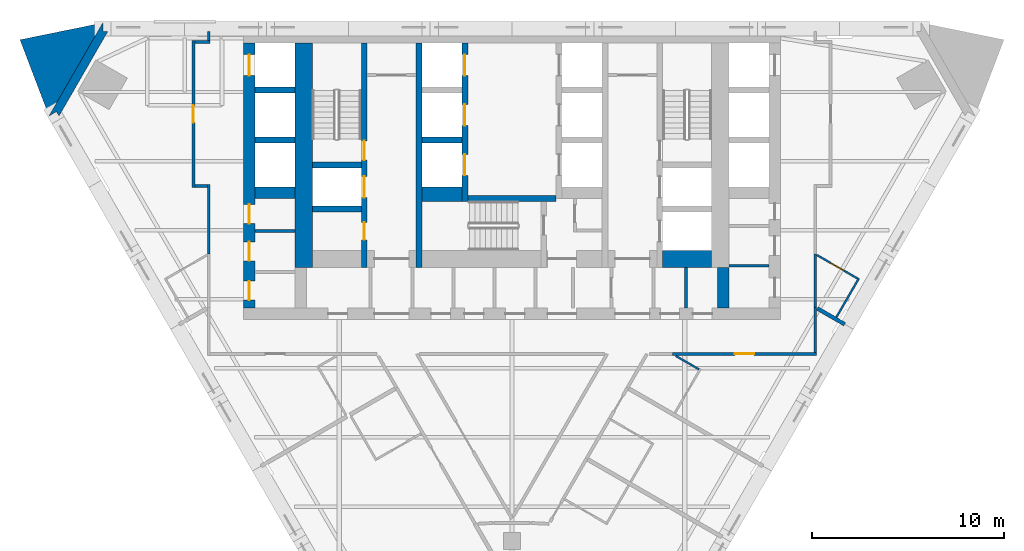
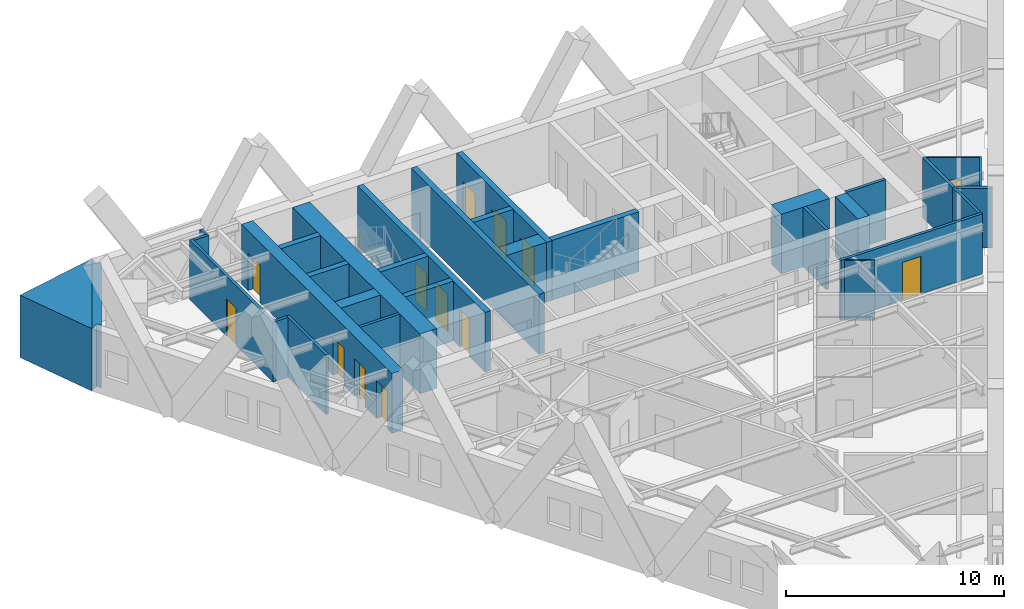
# One storey, part 5 of 8: 32 walls, 13 doors, 13 openings.
"""IFC4 building model written with IfcOpenShell, lengths in metres."""

from ifc_helpers import new_model, si_unit, direction, frame, frame_2d, origin, place, context, subcontext, project, spatial, polyline, rectangle, outline, extrude, material, layer, layer_set, type_object, element, fill, save


model = new_model("IFC4")

# Units and contexts
model_context = context("Model", 3, precision=1e-05, world=origin(), true_north=direction((0.0, 1.0)))
body_context = subcontext(model_context, "Body", "Model", "MODEL_VIEW")
ifc_project = project(units=[si_unit("LENGTHUNIT", "METRE"), si_unit("AREAUNIT", "SQUARE_METRE"), si_unit("VOLUMEUNIT", "CUBIC_METRE"), si_unit("PLANEANGLEUNIT", "RADIAN"), si_unit("MASSUNIT", "GRAM", prefix="KILO")], contexts=[model_context])

# Site, building, storey
site_placement = place(None, origin())
site = spatial("IfcSite", under=ifc_project, at=site_placement, CompositionType="ELEMENT")
building_placement = place(site_placement, origin())
building = spatial("IfcBuilding", under=site, at=building_placement, Name="Aloe Facet Convention Tower", CompositionType="ELEMENT")
storey_placement = place(building_placement, frame((0.0, 0.0, 88.800048828125)))
storey = spatial("IfcBuildingStorey", under=building, at=storey_placement, Name="L21", CompositionType="ELEMENT", Elevation=88.800048828125)

# Walls
ifc_material_1 = material(Name="Concrete blockwork partition", Category="masonry")
ifc_layer_1 = layer(ifc_material_1, 0.14990234375)
ifc_layer_set_1 = layer_set([ifc_layer_1], Name="CR-W-PART150")
wall_type_1 = type_object("IfcWallType", Name="CR-W-PART150", PredefinedType="PARTITIONING", material=ifc_layer_set_1)
wall_1_placement = place(storey_placement, frame((66.60009765625, 124.16455078125, 0.0), z_axis=(0.0, 0.0, 1.0), x_axis=(1.0, 0.0, 0.0)))
element("IfcWall", 1, at=wall_1_placement, inside=storey, type_object=wall_type_1, Name="Core partition L21-007", PredefinedType="PARTITIONING", context=body_context, shape_type="SweptSolid", body=[
    extrude(rectangle(XDim=2.099853515625, YDim=0.14990234375, at=frame_2d((1.0498046875, 0.0))), origin(), (0.0, 0.0, 1.0), 3.349853515625),
])
wall_2_placement = place(storey_placement, frame((89.074951171875, 122.25, 0.0), z_axis=(0.0, 0.0, 1.0), x_axis=(0.0, -1.0, 0.0)))
element("IfcWall", 2, at=wall_2_placement, inside=storey, type_object=wall_type_1, Name="Core partition L21-047", PredefinedType="PARTITIONING", context=body_context, shape_type="SweptSolid", body=[
    extrude(rectangle(XDim=2.10009765625, YDim=0.14990234375, at=frame_2d((1.050048828125, 0.0))), origin(), (0.0, 0.0, 1.0), 3.349853515625),
])
wall_3_placement = place(storey_placement, frame((91.300048828125, 122.346435546875, 0.0), z_axis=(0.0, 0.0, 1.0), x_axis=(1.0, 0.0, 0.0)))
element("IfcWall", 3, at=wall_3_placement, inside=storey, type_object=wall_type_1, Name="Core partition L21-054", PredefinedType="PARTITIONING", context=body_context, shape_type="SweptSolid", body=[
    extrude(rectangle(XDim=2.099853515625, YDim=0.14990234375, at=frame_2d((1.0498046875, 0.0))), origin(), (0.0, 0.0, 1.0), 3.349853515625),
])
ifc_material_2 = material(Name="Concrete C70/85", Category="concrete")
ifc_layer_2 = layer(ifc_material_2, 0.300048828125)
ifc_layer_set_2 = layer_set([ifc_layer_2], Name="CR-W-RC300-C7085")
wall_type_2 = type_object("IfcWallType", Name="CR-W-RC300-C7085", PredefinedType="SOLIDWALL", material=ifc_layer_set_2)
for number, where, z_axis, x_axis, name in (
    (4, (66.60009765625, 131.5, 0.0), (0.0, 0.0, 1.0), (1.0, 0.0, 0.0), "Core wall L21-004"),
    (5, (66.60009765625, 128.89990234375, 0.0), (0.0, 0.0, 1.0), (1.0, 0.0, 0.0), "Core wall L21-005"),
):
    element("IfcWall", number, at=place(storey_placement, frame(where, z_axis=z_axis, x_axis=x_axis)), inside=storey, type_object=wall_type_2, Name=name, PredefinedType="SOLIDWALL", context=body_context, shape_type="SweptSolid", body=[
        extrude(rectangle(XDim=2.099853515625, YDim=0.300048828125, at=frame_2d((1.0498046875, 0.0))), origin(), (0.0, 0.0, 1.0), 3.349853515625),
    ])
for number, where, z_axis, x_axis, name in (
    (6, (69.60009765625, 127.60009765625, 0.0), (0.0, 0.0, 1.0), (1.0, 0.0, 0.0), "Core wall L21-011"),
    (7, (69.60009765625, 125.300048828125, 0.0), (0.0, 0.0, 1.0), (1.0, 0.0, 0.0), "Core wall L21-012"),
):
    element("IfcWall", number, at=place(storey_placement, frame(where, z_axis=z_axis, x_axis=x_axis)), inside=storey, type_object=wall_type_2, Name=name, PredefinedType="SOLIDWALL", context=body_context, shape_type="SweptSolid", body=[
        extrude(rectangle(XDim=2.5498046875, YDim=0.300048828125, at=frame_2d((1.27490234375, 0.0))), origin(), (0.0, 0.0, 1.0), 3.349853515625),
    ])

# Wall, openings, doors
wall_4_placement = place(storey_placement, frame((72.300048828125, 133.949951171875, 0.0), z_axis=(0.0, 0.0, 1.0), x_axis=(0.0, -1.0, 0.0)))
wall_4 = element("IfcWall", 8, at=wall_4_placement, inside=storey, type_object=wall_type_2, Name="Core wall L21-014", PredefinedType="SOLIDWALL", context=body_context, shape_type="SweptSolid", body=[
    extrude(rectangle(XDim=11.699951171875, YDim=0.300048828125, at=frame_2d((5.85009765625, 0.0))), origin(), (0.0, 0.0, 1.0), 3.349853515625),
])
opening_1_placement = place(wall_4_placement, frame((6.949951171875, 0.0, 0.0)))
opening_1 = element("IfcOpeningElement", 9, at=opening_1_placement, cuts=wall_4, Name="Opening LD-FF1-L21", PredefinedType="OPENING", context=body_context, shape_type="SweptSolid", body=[
    extrude(rectangle(XDim=1.10009765625, YDim=2.10009765625, at=frame_2d((0.550048828125, 1.050048828125))), frame((0.0, 0.16015625, 0.0), z_axis=(0.0, -1.0, 0.0), x_axis=(1.0, 0.0, 0.0)), (0.0, 0.0, 1.0), 0.320068359375),
])
opening_2_placement = place(wall_4_placement, frame((9.35009765625, 0.0, 0.0)))
opening_2 = element("IfcOpeningElement", 10, at=opening_2_placement, cuts=wall_4, Name="Opening L21-CD23", PredefinedType="OPENING", context=body_context, shape_type="SweptSolid", body=[
    extrude(rectangle(XDim=0.89990234375, YDim=2.10009765625, at=frame_2d((0.449951171875, 1.050048828125))), frame((0.0, 0.16015625, 0.0), z_axis=(0.0, -1.0, 0.0), x_axis=(1.0, 0.0, 0.0)), (0.0, 0.0, 1.0), 0.320068359375),
])
opening_3_placement = place(wall_4_placement, frame((5.10009765625, 0.0, 0.0)))
opening_3 = element("IfcOpeningElement", 11, at=opening_3_placement, cuts=wall_4, Name="Opening L21-CD31", PredefinedType="OPENING", context=body_context, shape_type="SweptSolid", body=[
    extrude(rectangle(XDim=1.0, YDim=2.10009765625, at=frame_2d((0.5, 1.050048828125))), frame((0.0, 0.16015625, 0.0), z_axis=(0.0, -1.0, 0.0), x_axis=(1.0, 0.0, 0.0)), (0.0, 0.0, 1.0), 0.320068359375),
])
ifc_material_3 = material(Name="Steel fire-resisting door set FD60", Category="steel")
door_type_1 = type_object("IfcDoorType", Name="CR-D-ROOM-900-FD60-SLEFT", OperationType="SINGLE_SWING_LEFT", PredefinedType="DOOR", material=ifc_material_3)
door_1_placement = place(opening_2_placement, origin())
door_1 = element("IfcDoor", 12, at=door_1_placement, inside=storey, type_object=door_type_1, Name="Core door L21-CD23", OperationType="SINGLE_SWING_LEFT", OverallHeight=2.10009765625, OverallWidth=0.89990234375, PredefinedType="DOOR", context=body_context, shape_type="SweptSolid", body=[
    extrude(rectangle(XDim=0.89990234375, YDim=2.10009765625, at=frame_2d((0.449951171875, 1.050048828125))), frame((0.0, 0.02490234375, 0.0), z_axis=(0.0, -1.0, 0.0), x_axis=(1.0, 0.0, 0.0)), (0.0, 0.0, 1.0), 0.050048828125),
])
fill(opening_2, door_1)
ifc_material_4 = material(Name="Steel fire-resisting door set FD120", Category="steel")
door_type_2 = type_object("IfcDoorType", Name="CR-D-STAIR-1000-FD120-SRIGHT", OperationType="SINGLE_SWING_RIGHT", PredefinedType="DOOR", material=ifc_material_4)
door_2_placement = place(opening_3_placement, origin())
door_2 = element("IfcDoor", 13, at=door_2_placement, inside=storey, type_object=door_type_2, Name="Core door L21-CD31", OperationType="SINGLE_SWING_RIGHT", OverallHeight=2.10009765625, OverallWidth=1.0, PredefinedType="DOOR", context=body_context, shape_type="SweptSolid", body=[
    extrude(rectangle(XDim=1.0, YDim=2.10009765625, at=frame_2d((0.5, 1.050048828125))), frame((0.0, 0.02490234375, 0.0), z_axis=(0.0, -1.0, 0.0), x_axis=(1.0, 0.0, 0.0)), (0.0, 0.0, 1.0), 0.050048828125),
])
fill(opening_3, door_2)
ifc_material_5 = material(Name="Stainless steel sliding landing door", Category="steel")
door_type_3 = type_object("IfcDoorType", Name="CR-LD-1100-FD120-_LEFT", OperationType="SLIDING_TO_LEFT", PredefinedType="DOOR", material=ifc_material_5)
door_3_placement = place(opening_1_placement, origin())
door_3 = element("IfcDoor", 14, at=door_3_placement, inside=storey, type_object=door_type_3, Name="Landing door FF1 L21", OperationType="SLIDING_TO_LEFT", OverallHeight=2.10009765625, OverallWidth=1.10009765625, PredefinedType="DOOR", context=body_context, shape_type="SweptSolid", body=[
    extrude(rectangle(XDim=1.10009765625, YDim=2.10009765625, at=frame_2d((0.550048828125, 1.050048828125))), frame((0.0, 0.02490234375, 0.0), z_axis=(0.0, -1.0, 0.0), x_axis=(1.0, 0.0, 0.0)), (0.0, 0.0, 1.0), 0.050048828125),
])
fill(opening_1, door_3)

# Walls
wall_5_placement = place(storey_placement, frame((75.14990234375, 133.949951171875, 0.0), z_axis=(0.0, 0.0, 1.0), x_axis=(0.0, -1.0, 0.0)))
element("IfcWall", 15, at=wall_5_placement, inside=storey, type_object=wall_type_2, Name="Core wall L21-019", PredefinedType="SOLIDWALL", context=body_context, shape_type="SweptSolid", body=[
    extrude(rectangle(XDim=11.699951171875, YDim=0.300048828125, at=frame_2d((5.85009765625, 0.0))), origin(), (0.0, 0.0, 1.0), 3.349853515625),
])
wall_6_placement = place(storey_placement, frame((75.300048828125, 128.89990234375, 0.0), z_axis=(0.0, 0.0, 1.0), x_axis=(1.0, 0.0, 0.0)))
element("IfcWall", 16, at=wall_6_placement, inside=storey, type_object=wall_type_2, Name="Core wall L21-021", PredefinedType="SOLIDWALL", context=body_context, shape_type="SweptSolid", body=[
    extrude(rectangle(XDim=2.099853515625, YDim=0.300048828125, at=frame_2d((1.0498046875, 0.0))), origin(), (0.0, 0.0, 1.0), 3.349853515625),
])

# Wall, openings, doors
wall_7_placement = place(storey_placement, frame((77.550048828125, 133.949951171875, 0.0), z_axis=(0.0, 0.0, 1.0), x_axis=(0.0, -1.0, 0.0)))
wall_7 = element("IfcWall", 17, at=wall_7_placement, inside=storey, type_object=wall_type_2, Name="Core wall L21-025", PredefinedType="SOLIDWALL", context=body_context, shape_type="SweptSolid", body=[
    extrude(rectangle(XDim=8.25, YDim=0.300048828125, at=frame_2d((4.125, 0.0))), origin(), (0.0, 0.0, 1.0), 3.349853515625),
])
opening_4_placement = place(wall_7_placement, frame((0.60009765625, 0.0, 0.0)))
opening_4 = element("IfcOpeningElement", 18, at=opening_4_placement, cuts=wall_7, Name="Opening LD-A1-L21", PredefinedType="OPENING", context=body_context, shape_type="SweptSolid", body=[
    extrude(rectangle(XDim=1.10009765625, YDim=2.10009765625, at=frame_2d((0.550048828125, 1.050048828125))), frame((0.0, 0.16015625, 0.0), z_axis=(0.0, -1.0, 0.0), x_axis=(1.0, 0.0, 0.0)), (0.0, 0.0, 1.0), 0.320068359375),
])
opening_5_placement = place(wall_7_placement, frame((3.199951171875, 0.0, 0.0)))
opening_5 = element("IfcOpeningElement", 19, at=opening_5_placement, cuts=wall_7, Name="Opening LD-A2-L21", PredefinedType="OPENING", context=body_context, shape_type="SweptSolid", body=[
    extrude(rectangle(XDim=1.10009765625, YDim=2.10009765625, at=frame_2d((0.550048828125, 1.050048828125))), frame((0.0, 0.16015625, 0.0), z_axis=(0.0, -1.0, 0.0), x_axis=(1.0, 0.0, 0.0)), (0.0, 0.0, 1.0), 0.320068359375),
])
opening_6_placement = place(wall_7_placement, frame((5.800048828125, 0.0, 0.0)))
opening_6 = element("IfcOpeningElement", 20, at=opening_6_placement, cuts=wall_7, Name="Opening LD-A3-L21", PredefinedType="OPENING", context=body_context, shape_type="SweptSolid", body=[
    extrude(rectangle(XDim=1.10009765625, YDim=2.10009765625, at=frame_2d((0.550048828125, 1.050048828125))), frame((0.0, 0.16015625, 0.0), z_axis=(0.0, -1.0, 0.0), x_axis=(1.0, 0.0, 0.0)), (0.0, 0.0, 1.0), 0.320068359375),
])
ifc_material_6 = material(Name="Stainless steel sliding landing door", Category="steel")
door_type_4 = type_object("IfcDoorType", Name="CR-LD-1100-FD60-RIGHT", OperationType="SLIDING_TO_RIGHT", PredefinedType="DOOR", material=ifc_material_6)
door_4_placement = place(opening_4_placement, origin())
door_4 = element("IfcDoor", 21, at=door_4_placement, inside=storey, type_object=door_type_4, Name="Landing door A1 L21", OperationType="SLIDING_TO_RIGHT", OverallHeight=2.10009765625, OverallWidth=1.10009765625, PredefinedType="DOOR", context=body_context, shape_type="SweptSolid", body=[
    extrude(rectangle(XDim=1.10009765625, YDim=2.10009765625, at=frame_2d((0.550048828125, 1.050048828125))), frame((0.0, 0.02490234375, 0.0), z_axis=(0.0, -1.0, 0.0), x_axis=(1.0, 0.0, 0.0)), (0.0, 0.0, 1.0), 0.050048828125),
])
fill(opening_4, door_4)
door_5_placement = place(opening_5_placement, origin())
door_5 = element("IfcDoor", 22, at=door_5_placement, inside=storey, type_object=door_type_4, Name="Landing door A2 L21", OperationType="SLIDING_TO_RIGHT", OverallHeight=2.10009765625, OverallWidth=1.10009765625, PredefinedType="DOOR", context=body_context, shape_type="SweptSolid", body=[
    extrude(rectangle(XDim=1.10009765625, YDim=2.10009765625, at=frame_2d((0.550048828125, 1.050048828125))), frame((0.0, 0.02490234375, 0.0), z_axis=(0.0, -1.0, 0.0), x_axis=(1.0, 0.0, 0.0)), (0.0, 0.0, 1.0), 0.050048828125),
])
fill(opening_5, door_5)
door_6_placement = place(opening_6_placement, origin())
door_6 = element("IfcDoor", 23, at=door_6_placement, inside=storey, type_object=door_type_4, Name="Landing door A3 L21", OperationType="SLIDING_TO_RIGHT", OverallHeight=2.10009765625, OverallWidth=1.10009765625, PredefinedType="DOOR", context=body_context, shape_type="SweptSolid", body=[
    extrude(rectangle(XDim=1.10009765625, YDim=2.10009765625, at=frame_2d((0.550048828125, 1.050048828125))), frame((0.0, 0.02490234375, 0.0), z_axis=(0.0, -1.0, 0.0), x_axis=(1.0, 0.0, 0.0)), (0.0, 0.0, 1.0), 0.050048828125),
])
fill(opening_6, door_6)

# Wall
wall_8_placement = place(storey_placement, frame((77.699951171875, 125.85009765625, 0.0), z_axis=(0.0, 0.0, 1.0), x_axis=(1.0, 0.0, 0.0)))
element("IfcWall", 24, at=wall_8_placement, inside=storey, type_object=wall_type_2, Name="Core wall L21-026", PredefinedType="SOLIDWALL", context=body_context, shape_type="SweptSolid", body=[
    extrude(rectangle(XDim=4.60009765625, YDim=0.300048828125, at=frame_2d((2.300048828125, 0.0))), origin(), (0.0, 0.0, 1.0), 3.349853515625),
])

# Wall, openings, doors
ifc_material_7 = material(Name="Concrete C70/85", Category="concrete")
ifc_layer_3 = layer(ifc_material_7, 0.60009765625)
ifc_layer_set_3 = layer_set([ifc_layer_3], Name="CR-W-RC600-C7085")
wall_type_3 = type_object("IfcWallType", Name="CR-W-RC600-C7085", PredefinedType="SOLIDWALL", material=ifc_layer_set_3)
wall_9_placement = place(storey_placement, frame((66.300048828125, 133.949951171875, 0.0), z_axis=(0.0, 0.0, 1.0), x_axis=(0.0, -1.0, 0.0)))
wall_9 = element("IfcWall", 25, at=wall_9_placement, inside=storey, type_object=wall_type_3, Name="Core wall L21-002", PredefinedType="SOLIDWALL", context=body_context, shape_type="SweptSolid", body=[
    extrude(rectangle(XDim=13.800048828125, YDim=0.60009765625, at=frame_2d((6.89990234375, 0.0))), origin(), (0.0, 0.0, 1.0), 3.349853515625),
])
opening_7_placement = place(wall_9_placement, frame((0.60009765625, 0.0, 0.0)))
opening_7 = element("IfcOpeningElement", 26, at=opening_7_placement, cuts=wall_9, Name="Opening LD-A7-L21", PredefinedType="OPENING", context=body_context, shape_type="SweptSolid", body=[
    extrude(rectangle(XDim=1.10009765625, YDim=2.10009765625, at=frame_2d((0.550048828125, 1.050048828125))), frame((0.0, 0.31005859375, 0.0), z_axis=(0.0, -1.0, 0.0), x_axis=(1.0, 0.0, 0.0)), (0.0, 0.0, 1.0), 0.6201171875),
])
opening_8_placement = place(wall_9_placement, frame((8.4052734375, 0.0, 0.0)))
opening_8 = element("IfcOpeningElement", 27, at=opening_8_placement, cuts=wall_9, Name="Opening L21-CD35", PredefinedType="OPENING", context=body_context, shape_type="SweptSolid", body=[
    extrude(rectangle(XDim=1.0, YDim=2.10009765625, at=frame_2d((0.5, 1.050048828125))), frame((0.0, 0.31005859375, 0.0), z_axis=(0.0, -1.0, 0.0), x_axis=(1.0, 0.0, 0.0)), (0.0, 0.0, 1.0), 0.6201171875),
])
opening_9_placement = place(wall_9_placement, frame((10.355224609375, 0.0, 0.0)))
opening_9 = element("IfcOpeningElement", 28, at=opening_9_placement, cuts=wall_9, Name="Opening L21-CD36", PredefinedType="OPENING", context=body_context, shape_type="SweptSolid", body=[
    extrude(rectangle(XDim=1.0, YDim=2.10009765625, at=frame_2d((0.5, 1.050048828125))), frame((0.0, 0.31005859375, 0.0), z_axis=(0.0, -1.0, 0.0), x_axis=(1.0, 0.0, 0.0)), (0.0, 0.0, 1.0), 0.6201171875),
])
opening_10_placement = place(wall_9_placement, frame((12.39990234375, 0.0, 0.0)))
opening_10 = element("IfcOpeningElement", 29, at=opening_10_placement, cuts=wall_9, Name="Opening L21-CD37", PredefinedType="OPENING", context=body_context, shape_type="SweptSolid", body=[
    extrude(rectangle(XDim=1.0, YDim=2.10009765625, at=frame_2d((0.5, 1.050048828125))), frame((0.0, 0.31005859375, 0.0), z_axis=(0.0, -1.0, 0.0), x_axis=(1.0, 0.0, 0.0)), (0.0, 0.0, 1.0), 0.6201171875),
])
ifc_material_8 = material(Name="Steel fire-resisting door set FD60", Category="steel")
door_type_5 = type_object("IfcDoorType", Name="CR-D-ROOM-1000-FD60-SLEFT", OperationType="SINGLE_SWING_LEFT", PredefinedType="DOOR", material=ifc_material_8)
door_7_placement = place(opening_8_placement, origin())
door_7 = element("IfcDoor", 30, at=door_7_placement, inside=storey, type_object=door_type_5, Name="Core door L21-CD35", OperationType="SINGLE_SWING_LEFT", OverallHeight=2.10009765625, OverallWidth=1.0, PredefinedType="DOOR", context=body_context, shape_type="SweptSolid", body=[
    extrude(rectangle(XDim=1.0, YDim=2.10009765625, at=frame_2d((0.5, 1.050048828125))), frame((0.0, 0.02490234375, 0.0), z_axis=(0.0, -1.0, 0.0), x_axis=(1.0, 0.0, 0.0)), (0.0, 0.0, 1.0), 0.050048828125),
])
fill(opening_8, door_7)
door_8_placement = place(opening_9_placement, origin())
door_8 = element("IfcDoor", 31, at=door_8_placement, inside=storey, type_object=door_type_5, Name="Core door L21-CD36", OperationType="SINGLE_SWING_LEFT", OverallHeight=2.10009765625, OverallWidth=1.0, PredefinedType="DOOR", context=body_context, shape_type="SweptSolid", body=[
    extrude(rectangle(XDim=1.0, YDim=2.10009765625, at=frame_2d((0.5, 1.050048828125))), frame((0.0, 0.02490234375, 0.0), z_axis=(0.0, -1.0, 0.0), x_axis=(1.0, 0.0, 0.0)), (0.0, 0.0, 1.0), 0.050048828125),
])
fill(opening_9, door_8)
door_9_placement = place(opening_10_placement, origin())
door_9 = element("IfcDoor", 32, at=door_9_placement, inside=storey, type_object=door_type_5, Name="Core door L21-CD37", OperationType="SINGLE_SWING_LEFT", OverallHeight=2.10009765625, OverallWidth=1.0, PredefinedType="DOOR", context=body_context, shape_type="SweptSolid", body=[
    extrude(rectangle(XDim=1.0, YDim=2.10009765625, at=frame_2d((0.5, 1.050048828125))), frame((0.0, 0.02490234375, 0.0), z_axis=(0.0, -1.0, 0.0), x_axis=(1.0, 0.0, 0.0)), (0.0, 0.0, 1.0), 0.050048828125),
])
fill(opening_10, door_9)
ifc_material_9 = material(Name="Stainless steel sliding landing door", Category="steel")
door_type_6 = type_object("IfcDoorType", Name="CR-LD-1100-FD60-_LEFT", OperationType="SLIDING_TO_LEFT", PredefinedType="DOOR", material=ifc_material_9)
door_10_placement = place(opening_7_placement, origin())
door_10 = element("IfcDoor", 33, at=door_10_placement, inside=storey, type_object=door_type_6, Name="Landing door A7 L21", OperationType="SLIDING_TO_LEFT", OverallHeight=2.10009765625, OverallWidth=1.10009765625, PredefinedType="DOOR", context=body_context, shape_type="SweptSolid", body=[
    extrude(rectangle(XDim=1.10009765625, YDim=2.10009765625, at=frame_2d((0.550048828125, 1.050048828125))), frame((0.0, 0.02490234375, 0.0), z_axis=(0.0, -1.0, 0.0), x_axis=(1.0, 0.0, 0.0)), (0.0, 0.0, 1.0), 0.050048828125),
])
fill(opening_7, door_10)

# Walls
wall_10_placement = place(storey_placement, frame((66.60009765625, 126.14990234375, 0.0), z_axis=(0.0, 0.0, 1.0), x_axis=(1.0, 0.0, 0.0)))
element("IfcWall", 34, at=wall_10_placement, inside=storey, type_object=wall_type_3, Name="Core wall L21-006", PredefinedType="SOLIDWALL", context=body_context, shape_type="SweptSolid", body=[
    extrude(rectangle(XDim=2.099853515625, YDim=0.60009765625, at=frame_2d((1.0498046875, 0.0))), origin(), (0.0, 0.0, 1.0), 3.349853515625),
])
wall_11_placement = place(storey_placement, frame((91.0, 122.25, 0.0), z_axis=(0.0, 0.0, 1.0), x_axis=(0.0, -1.0, 0.0)))
element("IfcWall", 35, at=wall_11_placement, inside=storey, type_object=wall_type_3, Name="Core wall L21-049", PredefinedType="SOLIDWALL", context=body_context, shape_type="SweptSolid", body=[
    extrude(rectangle(XDim=2.10009765625, YDim=0.60009765625, at=frame_2d((1.050048828125, 0.0))), origin(), (0.0, 0.0, 1.0), 3.349853515625),
])
ifc_material_10 = material(Name="Concrete C70/85", Category="concrete")
ifc_layer_4 = layer(ifc_material_10, 0.75)
ifc_layer_set_4 = layer_set([ifc_layer_4], Name="CR-W-RC750-C7085")
wall_type_4 = type_object("IfcWallType", Name="CR-W-RC750-C7085", PredefinedType="SOLIDWALL", material=ifc_layer_set_4)
wall_12_placement = place(storey_placement, frame((75.300048828125, 126.074951171875, 0.0), z_axis=(0.0, 0.0, 1.0), x_axis=(1.0, 0.0, 0.0)))
element("IfcWall", 36, at=wall_12_placement, inside=storey, type_object=wall_type_4, Name="Core wall L21-022", PredefinedType="SOLIDWALL", context=body_context, shape_type="SweptSolid", body=[
    extrude(rectangle(XDim=2.099853515625, YDim=0.75, at=frame_2d((1.0498046875, 0.0))), origin(), (0.0, 0.0, 1.0), 3.349853515625),
])
ifc_material_11 = material(Name="Concrete C70/85", Category="concrete")
ifc_layer_5 = layer(ifc_material_11, 0.89990234375)
ifc_layer_set_5 = layer_set([ifc_layer_5], Name="CR-W-RC900-C7085")
wall_type_5 = type_object("IfcWallType", Name="CR-W-RC900-C7085", PredefinedType="SOLIDWALL", material=ifc_layer_set_5)
wall_13_placement = place(storey_placement, frame((69.14990234375, 133.949951171875, 0.0), z_axis=(0.0, 0.0, 1.0), x_axis=(0.0, -1.0, 0.0)))
element("IfcWall", 37, at=wall_13_placement, inside=storey, type_object=wall_type_5, Name="Core wall L21-009", PredefinedType="SOLIDWALL", context=body_context, shape_type="SweptSolid", body=[
    extrude(rectangle(XDim=11.699951171875, YDim=0.89990234375, at=frame_2d((5.85009765625, 0.0))), origin(), (0.0, 0.0, 1.0), 3.349853515625),
])
wall_14_placement = place(storey_placement, frame((87.85009765625, 122.699951171875, 0.0), z_axis=(0.0, 0.0, 1.0), x_axis=(1.0, 0.0, 0.0)))
element("IfcWall", 38, at=wall_14_placement, inside=storey, type_object=wall_type_5, Name="Core wall L21-046", PredefinedType="SOLIDWALL", context=body_context, shape_type="SweptSolid", body=[
    extrude(rectangle(XDim=2.5498046875, YDim=0.89990234375, at=frame_2d((1.27490234375, 0.0))), origin(), (0.0, 0.0, 1.0), 3.349853515625),
])
ifc_material_12 = material(Name="Precast concrete C40/50", Category="concrete")
ifc_layer_6 = layer(ifc_material_12, 0.449951171875)
ifc_layer_set_6 = layer_set([ifc_layer_6], Name="EV-WALL-PIER")
wall_type_6 = type_object("IfcWallType", Name="EV-WALL-PIER", PredefinedType="SOLIDWALL", material=ifc_layer_set_6)
wall_15_placement = place(storey_placement, frame((0.0, 0.0, -0.150146484375)))
element("IfcWall", 39, at=wall_15_placement, inside=storey, type_object=wall_type_6, Name="EP-L21-A", PredefinedType="SOLIDWALL", context=body_context, shape_type="SweptSolid", body=[
    extrude(outline(polyline([(58.678466796875, 135.0), (58.678466796875, 134.550048828125), (58.938232421875, 134.550048828125), (56.398193359375, 130.150146484375), (56.26806640625, 130.375244140625), (55.87841796875, 130.150146484375), (58.678466796875, 135.0)])), origin(), (0.0, 0.0, 1.0), 3.5),
])
ifc_material_13 = material(Name="Precast concrete C40/50", Category="concrete")
ifc_layer_7 = layer(ifc_material_13, 3.947998046875)
ifc_layer_set_7 = layer_set([ifc_layer_7], Name="EV-WALL-SPINE")
wall_type_7 = type_object("IfcWallType", Name="EV-WALL-SPINE", PredefinedType="SOLIDWALL", material=ifc_layer_set_7)
wall_16_placement = place(storey_placement, frame((0.0, 0.0, -0.150146484375)))
element("IfcWall", 40, at=wall_16_placement, inside=storey, type_object=wall_type_7, Name="SP-NW-L21", PredefinedType="SOLIDWALL", context=body_context, shape_type="SweptSolid", body=[
    extrude(outline(polyline([(58.678466796875, 135.0), (54.365966796875, 134.12109375), (55.87841796875, 130.150146484375), (58.678466796875, 135.0)])), origin(), (0.0, 0.0, 1.0), 3.5),
])

# Wall, opening, door
ifc_material_14 = material(Name="Gypsum board partition on steel studs", Category="steel")
ifc_layer_8 = layer(ifc_material_14, 0.14990234375)
ifc_layer_set_8 = layer_set([ifc_layer_8], Name="IN-W-CORR")
wall_type_8 = type_object("IfcWallType", Name="IN-W-CORR", PredefinedType="PARTITIONING", material=ifc_layer_set_8)
wall_17_placement = place(storey_placement, frame((88.3564453125, 117.75, 0.0), z_axis=(0.0, 0.0, 1.0), x_axis=(1.0, 0.0, 0.0)))
wall_17 = element("IfcWall", 41, at=wall_17_placement, inside=storey, type_object=wall_type_8, Name="Partition L21-W046", PredefinedType="PARTITIONING", context=body_context, shape_type="SweptSolid", body=[
    extrude(rectangle(XDim=7.5185546875, YDim=0.14990234375, at=frame_2d((3.75927734375, 0.0))), origin(), (0.0, 0.0, 1.0), 3.349853515625),
])
opening_11_placement = place(wall_17_placement, frame((3.25927734375, 0.0, 0.0)))
opening_11 = element("IfcOpeningElement", 42, at=opening_11_placement, cuts=wall_17, Name="Opening L21-006", PredefinedType="OPENING", context=body_context, shape_type="SweptSolid", body=[
    extrude(rectangle(XDim=1.0, YDim=2.10009765625, at=frame_2d((0.5, 1.050048828125))), frame((0.0, 0.0849609375, 0.0), z_axis=(0.0, -1.0, 0.0), x_axis=(1.0, 0.0, 0.0)), (0.0, 0.0, 1.0), 0.169921875),
])
ifc_material_15 = material(Name="Hardwood flush door FD30S", Category="wood")
door_type_7 = type_object("IfcDoorType", Name="IN-D-WIDE", OperationType="SINGLE_SWING_LEFT", PredefinedType="DOOR", material=ifc_material_15)
door_11_placement = place(opening_11_placement, origin())
door_11 = element("IfcDoor", 43, at=door_11_placement, inside=storey, type_object=door_type_7, Name="Door L21-006", OperationType="SINGLE_SWING_LEFT", OverallHeight=2.10009765625, OverallWidth=1.0, PredefinedType="DOOR", context=body_context, shape_type="SweptSolid", body=[
    extrude(rectangle(XDim=1.0, YDim=2.10009765625, at=frame_2d((0.5, 1.050048828125))), frame((0.0, 0.02490234375, 0.0), z_axis=(0.0, -1.0, 0.0), x_axis=(1.0, 0.0, 0.0)), (0.0, 0.0, 1.0), 0.050048828125),
])
fill(opening_11, door_11)

# Walls
wall_18_placement = place(storey_placement, frame((95.800048828125, 117.824951171875, 0.0), z_axis=(0.0, 0.0, 1.0), x_axis=(0.0, 1.0, 0.0)))
element("IfcWall", 44, at=wall_18_placement, inside=storey, type_object=wall_type_8, Name="Partition L21-W053", PredefinedType="PARTITIONING", context=body_context, shape_type="SweptSolid", body=[
    extrude(rectangle(XDim=2.357666015625, YDim=0.14990234375, at=frame_2d((1.1787109375, 0.0))), origin(), (0.0, 0.0, 1.0), 3.349853515625),
])
wall_19_placement = place(storey_placement, frame((95.800048828125, 120.1826171875, 0.0), z_axis=(0.0, 0.0, 1.0), x_axis=(0.0, 1.0, 0.0)))
element("IfcWall", 45, at=wall_19_placement, inside=storey, type_object=wall_type_8, Name="Partition L21-W055", PredefinedType="PARTITIONING", context=body_context, shape_type="SweptSolid", body=[
    extrude(rectangle(XDim=2.771484375, YDim=0.14990234375, at=frame_2d((1.3857421875, 0.0))), origin(), (0.0, 0.0, 1.0), 3.349853515625),
])
wall_20_placement = place(storey_placement, frame((64.199951171875, 122.9541015625, 0.0), z_axis=(0.0, 0.0, 1.0), x_axis=(0.0, 1.0, 0.0)))
element("IfcWall", 46, at=wall_20_placement, inside=storey, type_object=wall_type_8, Name="Partition L21-W058", PredefinedType="PARTITIONING", context=body_context, shape_type="SweptSolid", body=[
    extrude(rectangle(XDim=3.620849609375, YDim=0.14990234375, at=frame_2d((1.810546875, 0.0))), origin(), (0.0, 0.0, 1.0), 3.349853515625),
])

# Wall, opening, door
wall_21_placement = place(storey_placement, frame((63.39990234375, 134.074462890625, 0.0), z_axis=(0.0, 0.0, 1.0), x_axis=(6.3832503e-05, -0.999999997963, 0.0)))
wall_21 = element("IfcWall", 47, at=wall_21_placement, inside=storey, type_object=wall_type_8, Name="Partition L21-W061", PredefinedType="PARTITIONING", context=body_context, shape_type="SweptSolid", body=[
    extrude(rectangle(XDim=7.6494140625, YDim=0.14990234375, at=frame_2d((3.82470703125, 0.0))), origin(), (0.0, 0.0, 1.0), 3.349853515625),
])
opening_12_placement = place(wall_21_placement, frame((3.374755859375, 0.0, 0.0)))
opening_12 = element("IfcOpeningElement", 48, at=opening_12_placement, cuts=wall_21, Name="Opening L21-001", PredefinedType="OPENING", context=body_context, shape_type="SweptSolid", body=[
    extrude(rectangle(XDim=0.89990234375, YDim=2.10009765625, at=frame_2d((0.449951171875, 1.050048828125))), frame((0.0, 0.0849609375, 0.0), z_axis=(0.0, -1.0, 0.0), x_axis=(1.0, 0.0, 0.0)), (0.0, 0.0, 1.0), 0.169921875),
])
ifc_material_16 = material(Name="Hardwood flush door FD30S", Category="wood")
door_type_8 = type_object("IfcDoorType", Name="IN-D-GUEST", OperationType="SINGLE_SWING_LEFT", PredefinedType="DOOR", material=ifc_material_16)
door_12_placement = place(opening_12_placement, origin())
door_12 = element("IfcDoor", 49, at=door_12_placement, inside=storey, type_object=door_type_8, Name="Door L21-001", OperationType="SINGLE_SWING_LEFT", OverallHeight=2.10009765625, OverallWidth=0.89990234375, PredefinedType="DOOR", context=body_context, shape_type="SweptSolid", body=[
    extrude(rectangle(XDim=0.89990234375, YDim=2.10009765625, at=frame_2d((0.449951171875, 1.050048828125))), frame((0.0, 0.02490234375, 0.0), z_axis=(0.0, -1.0, 0.0), x_axis=(1.0, 0.0, 0.0)), (0.0, 0.0, 1.0), 0.050048828125),
])
fill(opening_12, door_12)

# Walls
wall_22_placement = place(storey_placement, frame((63.4755859375, 126.5, 0.0), z_axis=(0.0, 0.0, 1.0), x_axis=(1.0, 0.0, 0.0)))
element("IfcWall", 50, at=wall_22_placement, inside=storey, type_object=wall_type_8, Name="Partition L21-W062", PredefinedType="PARTITIONING", context=body_context, shape_type="SweptSolid", body=[
    extrude(rectangle(XDim=0.6494140625, YDim=0.14990234375, at=frame_2d((0.32470703125, 0.0))), origin(), (0.0, 0.0, 1.0), 3.349853515625),
])
wall_23_placement = place(storey_placement, frame((63.47509765625, 133.99951171875, 0.0), z_axis=(0.0, 0.0, 1.0), x_axis=(0.999999813645, 0.000610500497, 0.0)))
element("IfcWall", 51, at=wall_23_placement, inside=storey, type_object=wall_type_8, Name="Partition L21-W065", PredefinedType="PARTITIONING", context=body_context, shape_type="SweptSolid", body=[
    extrude(rectangle(XDim=0.7998046875, YDim=0.14990234375, at=frame_2d((0.39990234375, 0.0))), origin(), (0.0, 0.0, 1.0), 3.349853515625),
])
wall_24_placement = place(storey_placement, frame((64.199951171875, 134.074951171875, 0.0), z_axis=(0.0, 0.0, 1.0), x_axis=(0.0, 1.0, 0.0)))
element("IfcWall", 52, at=wall_24_placement, inside=storey, type_object=wall_type_8, Name="Partition L21-W066", PredefinedType="PARTITIONING", context=body_context, shape_type="SweptSolid", body=[
    extrude(rectangle(XDim=0.465087890625, YDim=0.14990234375, at=frame_2d((0.232421875, 0.0))), origin(), (0.0, 0.0, 1.0), 3.349853515625),
])
ifc_material_17 = material(Name="Gypsum board partition on steel studs", Category="steel")
ifc_layer_9 = layer(ifc_material_17, 0.10009765625)
ifc_layer_set_9 = layer_set([ifc_layer_9], Name="IN-W-PART")
wall_type_9 = type_object("IfcWallType", Name="IN-W-PART", PredefinedType="PARTITIONING", material=ifc_layer_set_9)
wall_25_placement = place(storey_placement, frame((88.533935546875, 117.6474609375, 0.0), z_axis=(0.0, 0.0, 1.0), x_axis=(0.866031452229, -0.49998952364, 0.0)))
element("IfcWall", 53, at=wall_25_placement, inside=storey, type_object=wall_type_9, Name="Partition L21-W045", PredefinedType="PARTITIONING", context=body_context, shape_type="SweptSolid", body=[
    extrude(rectangle(XDim=1.39794921875, YDim=0.10009765625, at=frame_2d((0.698974609375, 0.0))), origin(), (0.0, 0.0, 1.0), 3.349853515625),
])
wall_26_placement = place(storey_placement, frame((96.901611328125, 119.662109375, 0.0), z_axis=(0.0, 0.0, 1.0), x_axis=(0.500016218704, 0.866016039709, 0.0)))
element("IfcWall", 54, at=wall_26_placement, inside=storey, type_object=wall_type_9, Name="Partition L21-W057", PredefinedType="PARTITIONING", context=body_context, shape_type="SweptSolid", body=[
    extrude(rectangle(XDim=2.35009765625, YDim=0.10009765625, at=frame_2d((1.175048828125, 0.0))), origin(), (0.0, 0.0, 1.0), 3.349853515625),
])

# Wall, opening, door
wall_27_placement = place(storey_placement, frame((95.88232421875, 122.906494140625, 0.0), z_axis=(0.0, 0.0, 1.0), x_axis=(0.866006720078, -0.500032359733, 0.0)))
wall_27 = element("IfcWall", 55, at=wall_27_placement, inside=storey, type_object=wall_type_9, Name="Partition L21-W060", PredefinedType="PARTITIONING", context=body_context, shape_type="SweptSolid", body=[
    extrude(rectangle(XDim=2.454833984375, YDim=0.10009765625, at=frame_2d((1.2275390625, 0.0))), origin(), (0.0, 0.0, 1.0), 3.349853515625),
])
opening_13_placement = place(wall_27_placement, frame((0.827392578125, 0.0, 0.0)))
opening_13 = element("IfcOpeningElement", 56, at=opening_13_placement, cuts=wall_27, Name="Opening L21-015", PredefinedType="OPENING", context=body_context, shape_type="SweptSolid", body=[
    extrude(rectangle(XDim=0.800048828125, YDim=2.10009765625, at=frame_2d((0.39990234375, 1.050048828125))), frame((0.0, 0.06005859375, 0.0), z_axis=(0.0, -1.0, 0.0), x_axis=(1.0, 0.0, 0.0)), (0.0, 0.0, 1.0), 0.1201171875),
])
ifc_material_18 = material(Name="Timber flush door", Category="wood")
door_type_9 = type_object("IfcDoorType", Name="IN-D-BATH", OperationType="SINGLE_SWING_LEFT", PredefinedType="DOOR", material=ifc_material_18)
door_13_placement = place(opening_13_placement, origin())
door_13 = element("IfcDoor", 57, at=door_13_placement, inside=storey, type_object=door_type_9, Name="Door L21-015", OperationType="SINGLE_SWING_LEFT", OverallHeight=2.10009765625, OverallWidth=0.800048828125, PredefinedType="DOOR", context=body_context, shape_type="SweptSolid", body=[
    extrude(rectangle(XDim=0.800048828125, YDim=2.10009765625, at=frame_2d((0.39990234375, 1.050048828125))), frame((0.0, 0.02490234375, 0.0), z_axis=(0.0, -1.0, 0.0), x_axis=(1.0, 0.0, 0.0)), (0.0, 0.0, 1.0), 0.050048828125),
])
fill(opening_13, door_13)

# Wall
ifc_material_19 = material(Name="Gypsum board partition on steel studs", Category="steel")
ifc_layer_10 = layer(ifc_material_19, 0.199951171875)
ifc_layer_set_10 = layer_set([ifc_layer_10], Name="IN-W-PARTY")
wall_type_10 = type_object("IfcWallType", Name="IN-W-PARTY", PredefinedType="PARTITIONING", material=ifc_layer_set_10)
wall_28_placement = place(storey_placement, frame((95.908203125, 120.1201171875, 0.0), z_axis=(0.0, 0.0, 1.0), x_axis=(0.866101713734, -0.499867803992, 0.0)))
element("IfcWall", 58, at=wall_28_placement, inside=storey, type_object=wall_type_10, Name="Partition L21-W048", PredefinedType="PARTITIONING", context=body_context, shape_type="SweptSolid", body=[
    extrude(rectangle(XDim=1.64794921875, YDim=0.199951171875, at=frame_2d((0.823974609375, 0.0))), origin(), (0.0, 0.0, 1.0), 3.349853515625),
])

save(model, "model.ifc")
